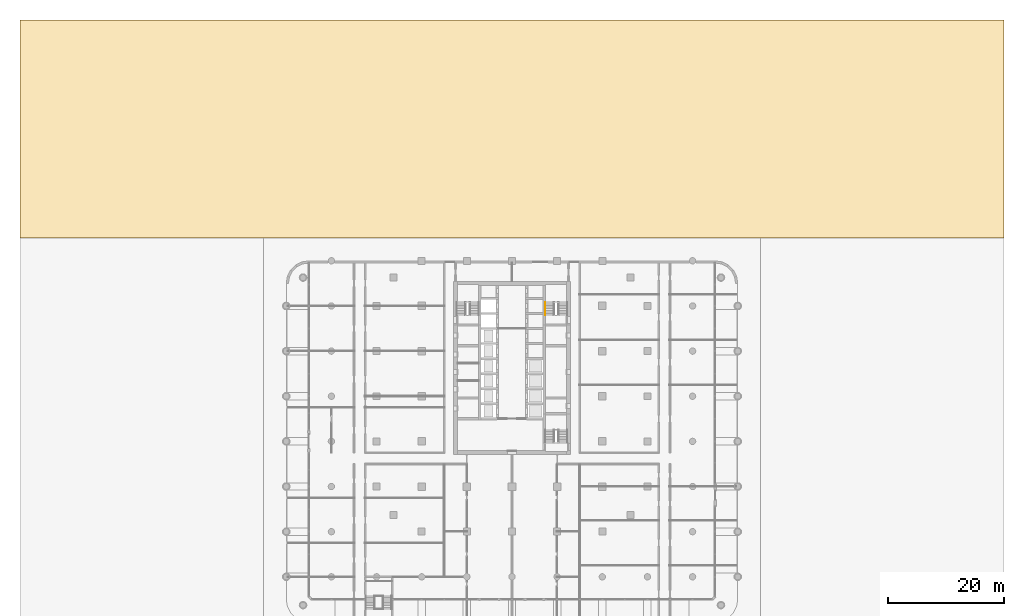
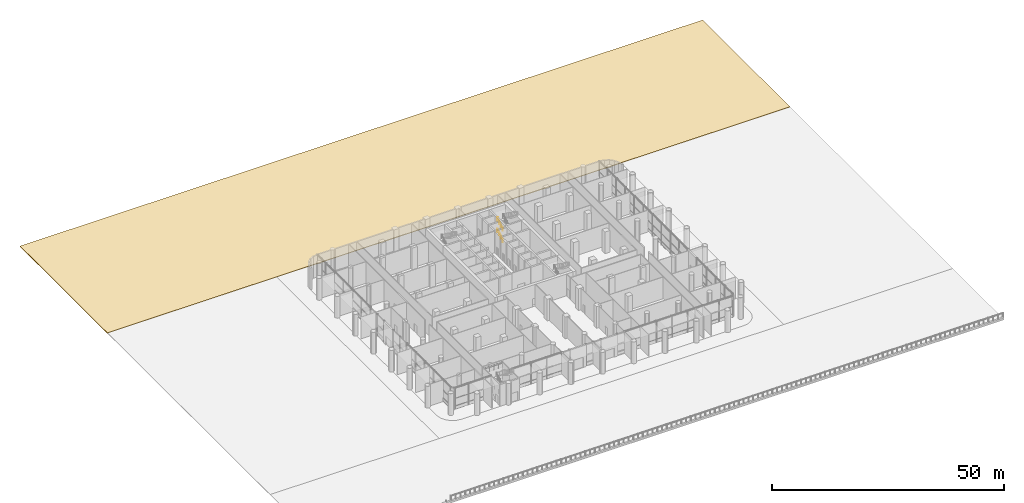
# One storey, part 30 of 32: 2 railings, 1 covering, 1 element without a shape of its own.
"""IFC4 building model written with IfcOpenShell, lengths in metres."""

from ifc_helpers import new_model, si_unit, direction, frame, origin, origin_2d, place, context, subcontext, project, spatial, polyline, circle, outline, extrude, material, layer, layer_set, type_object, element, aggregate, save


model = new_model("IFC4")

# Units and contexts
model_context = context("Model", 3, precision=1e-05, world=origin(), true_north=direction((0.0, 1.0)))
body_context = subcontext(model_context, "Body", "Model", "MODEL_VIEW")
ifc_project = project(units=[si_unit("LENGTHUNIT", "METRE"), si_unit("AREAUNIT", "SQUARE_METRE"), si_unit("VOLUMEUNIT", "CUBIC_METRE"), si_unit("PLANEANGLEUNIT", "RADIAN"), si_unit("MASSUNIT", "GRAM", prefix="KILO")], contexts=[model_context])

# Site, building, storey
site_placement = place(None, origin())
site = spatial("IfcSite", under=ifc_project, at=site_placement, CompositionType="ELEMENT")
building_placement = place(site_placement, origin())
building = spatial("IfcBuilding", under=site, at=building_placement, Name="Ludao Terraces", CompositionType="ELEMENT")
storey_placement = place(building_placement, origin())
storey = spatial("IfcBuildingStorey", under=building, at=storey_placement, Name="L00", CompositionType="ELEMENT", Elevation=0.0)

# Covering
ifc_material_1 = material(Name="Granite paving", Category="masonry")
ifc_layer = layer(ifc_material_1, 0.14990234375)
ifc_layer_set = layer_set([ifc_layer], Name="ENV Paving 150")
covering_type = type_object("IfcCoveringType", Name="ENV Paving 150", PredefinedType="USERDEFINED", material=ifc_layer_set)
covering_placement = place(storey_placement, frame((0.0, 0.0, -0.14990234375)))
element("IfcCovering", 1, at=covering_placement, inside=storey, type_object=covering_type, Name="North Court paving", ObjectType="PAVING", PredefinedType="USERDEFINED", context=body_context, shape_type="SweptSolid", body=[
    extrude(outline(polyline([(0.0, 92.300048828125), (170.0, 92.300048828125), (170.0, 130.0), (0.0, 130.0), (0.0, 92.300048828125)])), origin(), (0.0, 0.0, 1.0), 0.14990234375),
])

# Stair, railings
ifc_material_2 = material(Name="Concrete C40", Category="concrete")
stair_type = type_object("IfcStairType", Name="INT Stair", PredefinedType="HALF_TURN_STAIR", material=ifc_material_2)
stair_placement = place(storey_placement, origin())
stair = element("IfcStair", 2, at=stair_placement, inside=storey, type_object=stair_type, Name="EXIT STAIR 2", PredefinedType="HALF_TURN_STAIR")
ifc_material_3 = material(Name="Stainless steel 304", Category="steel")
railing_type = type_object("IfcRailingType", Name="INT Stair handrail 900", PredefinedType="HANDRAIL", material=ifc_material_3)
railing_1_placement = place(storey_placement, frame((90.75, 79.0, 0.166748046875)))
railing_1 = element("IfcRailing", 3, at=railing_1_placement, type_object=railing_type, Name="ST-L00-S2-R1H", PredefinedType="HANDRAIL", context=body_context, shape_type="SweptSolid", body=[
    extrude(circle(Radius=0.02392578125, at=origin_2d()), frame((0.0, 0.0, 0.8759765625), z_axis=(0.0, 0.859305625298, 0.511462454469), x_axis=(-1.0, 0.0, 0.0)), (0.0, 0.0, 1.0), 2.606689453125),
    extrude(circle(Radius=0.02099609375, at=origin_2d()), origin(), (0.0, 0.0, 1.0), 0.851806640625),
    extrude(circle(Radius=0.02099609375, at=origin_2d()), frame((0.0, 0.74658203125, 0.4443359375)), (0.0, 0.0, 1.0), 0.851806640625),
    extrude(circle(Radius=0.02099609375, at=origin_2d()), frame((0.0, 1.493408203125, 0.888916015625)), (0.0, 0.0, 1.0), 0.851806640625),
    extrude(circle(Radius=0.02099609375, at=origin_2d()), frame((0.0, 2.239990234375, 1.333251953125)), (0.0, 0.0, 1.0), 0.851806640625),
])
railing_2_placement = place(storey_placement, frame((90.75, 79.0, 3.166748046875)))
railing_2 = element("IfcRailing", 4, at=railing_2_placement, type_object=railing_type, Name="ST-L00-S2-R3H", PredefinedType="HANDRAIL", context=body_context, shape_type="SweptSolid", body=[
    extrude(circle(Radius=0.02392578125, at=origin_2d()), frame((0.0, 0.0, 0.8759765625), z_axis=(0.0, 0.859305625298, 0.511462454469), x_axis=(-1.0, 0.0, 0.0)), (0.0, 0.0, 1.0), 2.606689453125),
    extrude(circle(Radius=0.02099609375, at=origin_2d()), origin(), (0.0, 0.0, 1.0), 0.851806640625),
    extrude(circle(Radius=0.02099609375, at=origin_2d()), frame((0.0, 0.74658203125, 0.4443359375)), (0.0, 0.0, 1.0), 0.851806640625),
    extrude(circle(Radius=0.02099609375, at=origin_2d()), frame((0.0, 1.493408203125, 0.888916015625)), (0.0, 0.0, 1.0), 0.851806640625),
    extrude(circle(Radius=0.02099609375, at=origin_2d()), frame((0.0, 2.239990234375, 1.333251953125)), (0.0, 0.0, 1.0), 0.851806640625),
])
aggregate(stair, [railing_1, railing_2])

save(model, "model.ifc")
